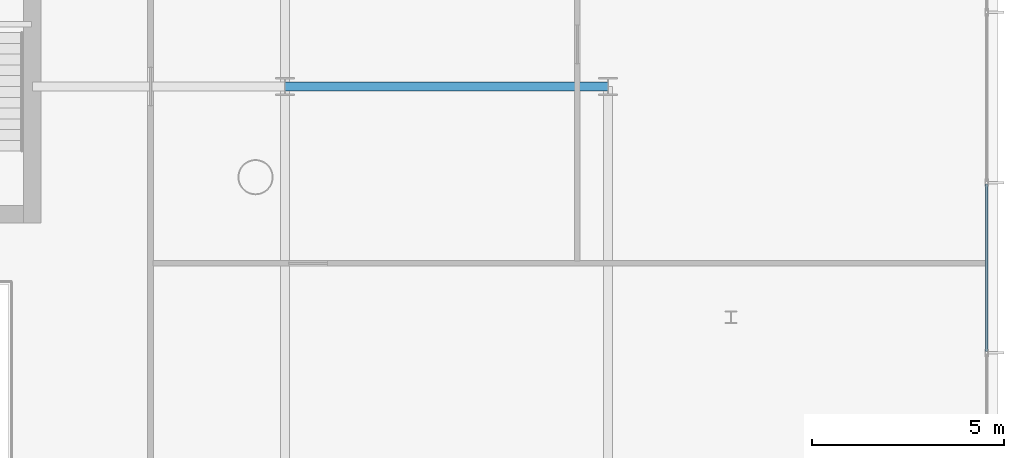
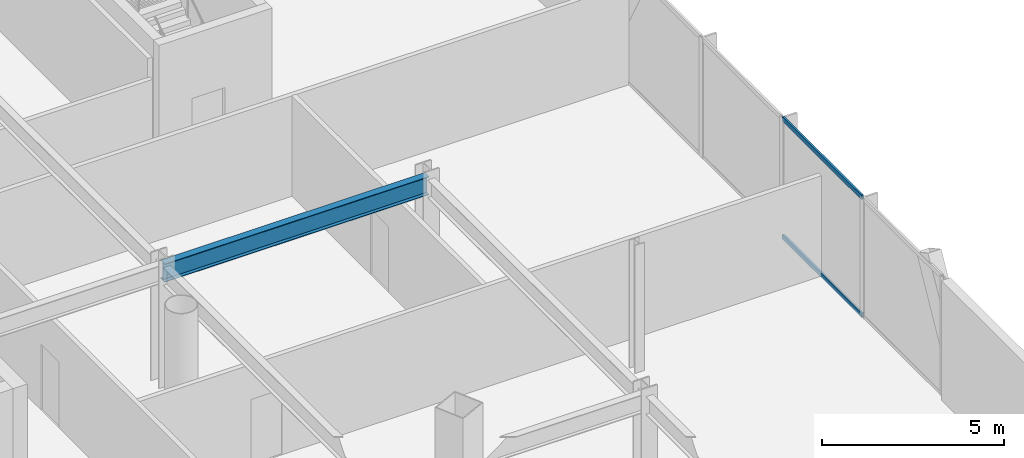
# One storey, part 21 of 42: 2 members, 1 beam, 1 element without a shape of its own.
"""IFC4 building model written with IfcOpenShell, lengths in metres."""

from ifc_helpers import new_model, si_unit, direction, frame, origin, origin_2d, place, context, subcontext, project, spatial, hollow_rectangle, i_section, extrude, material, layer, layer_set, material_profile, profile_set, type_object, element, aggregate, save


model = new_model("IFC4")

# Units and contexts
model_context = context("Model", 3, precision=1e-05, world=origin(), true_north=direction((0.0, 1.0)))
body_context = subcontext(model_context, "Body", "Model", "MODEL_VIEW")
ifc_project = project(units=[si_unit("LENGTHUNIT", "METRE"), si_unit("AREAUNIT", "SQUARE_METRE"), si_unit("VOLUMEUNIT", "CUBIC_METRE"), si_unit("PLANEANGLEUNIT", "RADIAN"), si_unit("MASSUNIT", "GRAM", prefix="KILO")], contexts=[model_context])

# Site, building, storey
site_placement = place(None, origin())
site = spatial("IfcSite", under=ifc_project, at=site_placement, CompositionType="ELEMENT")
building_placement = place(site_placement, origin())
building = spatial("IfcBuilding", under=site, at=building_placement, Name="Orvanel Arch Residences", CompositionType="ELEMENT")
storey_placement = place(building_placement, frame((0.0, 0.0, 5.5)))
storey = spatial("IfcBuildingStorey", under=building, at=storey_placement, Name="L01", CompositionType="ELEMENT", Elevation=5.5)

# Beam
ifc_material_1 = material(Name="Structural steel AS/NZS 3679.1 Grade 300 (300 MPa)", Category="steel")
ifc_material_profile_1 = material_profile(ifc_material_1, i_section(OverallWidth=0.22900390625, OverallDepth=0.612060546875, WebThickness=0.011962890625, FlangeThickness=0.01953125, at=origin_2d()), Name="610UB125")
ifc_profile_set_1 = profile_set([ifc_material_profile_1], Name="Structural steel AS/NZS 3679.1 Grade 300 (300 MPa)")
beam_type = type_object("IfcBeamType", Name="BG-610UB", PredefinedType="BEAM", material=ifc_profile_set_1)
beam_placement = place(storey_placement, frame((46.199951171875, 30.0, 3.714111328125), z_axis=(1.0, 0.0, 0.0), x_axis=(0.0, 1.0, 0.0)))
element("IfcBeam", 1, at=beam_placement, inside=storey, type_object=beam_type, Name="L01 BG-610UB beam", PredefinedType="BEAM", context=body_context, shape_type="SweptSolid", body=[
    extrude(i_section(OverallWidth=0.22900390625, OverallDepth=0.612060546875, WebThickness=0.011962890625, FlangeThickness=0.01953125, at=origin_2d()), origin(), (0.0, 0.0, 1.0), 8.400146484375),
])

# Curtain wall, members
ifc_material_2 = material(Name="Bronze-anodised aluminium AA6063-T6", Category="aluminium")
ifc_layer = layer(ifc_material_2, 0.199951171875)
ifc_layer_set = layer_set([ifc_layer], Name="Bronze-anodised aluminium AA6063-T6")
curtain_wall_type = type_object("IfcCurtainWallType", Name="CW1-POD-SYS", PredefinedType="NOTDEFINED", material=ifc_layer_set)
curtain_wall_placement = place(storey_placement, origin())
curtain_wall = element("IfcCurtainWall", 2, at=curtain_wall_placement, inside=storey, type_object=curtain_wall_type, Name="L01 CW1-POD-SYS Unitised Curtain Wall", PredefinedType="NOTDEFINED")
ifc_material_profile_2 = material_profile(ifc_material_2, hollow_rectangle(XDim=0.06494140625, YDim=0.14990234375, WallThickness=0.00390625, at=origin_2d()), Name="ALU150x65x4")
ifc_profile_set_2 = profile_set([ifc_material_profile_2], Name="Bronze-anodised aluminium AA6063-T6")
member_type = type_object("IfcMemberType", Name="TRN-150x65", PredefinedType="USERDEFINED", material=ifc_profile_set_2)
member_1_placement = place(storey_placement, frame((64.449951171875, 23.107421875, 0.032470703125), z_axis=(0.0, 1.0, 0.0), x_axis=(-1.0, 0.0, 0.0)))
member_1 = element("IfcMember", 3, at=member_1_placement, type_object=member_type, Name="CW-S1 transom 2.1", ObjectType="TRANSOM", PredefinedType="USERDEFINED", context=body_context, shape_type="SweptSolid", body=[
    extrude(hollow_rectangle(XDim=0.06494140625, YDim=0.14990234375, WallThickness=0.00390625, at=origin_2d()), origin(), (0.0, 0.0, 1.0), 4.35498046875),
])
member_2_placement = place(storey_placement, frame((64.449951171875, 23.107421875, 3.987548828125), z_axis=(0.0, 1.0, 0.0), x_axis=(-1.0, 0.0, 0.0)))
member_2 = element("IfcMember", 4, at=member_2_placement, type_object=member_type, Name="CW-S1 transom 2.2", ObjectType="TRANSOM", PredefinedType="USERDEFINED", context=body_context, shape_type="SweptSolid", body=[
    extrude(hollow_rectangle(XDim=0.06494140625, YDim=0.14990234375, WallThickness=0.00390625, at=origin_2d()), origin(), (0.0, 0.0, 1.0), 4.35498046875),
])
aggregate(curtain_wall, [member_1, member_2])

save(model, "model.ifc")
